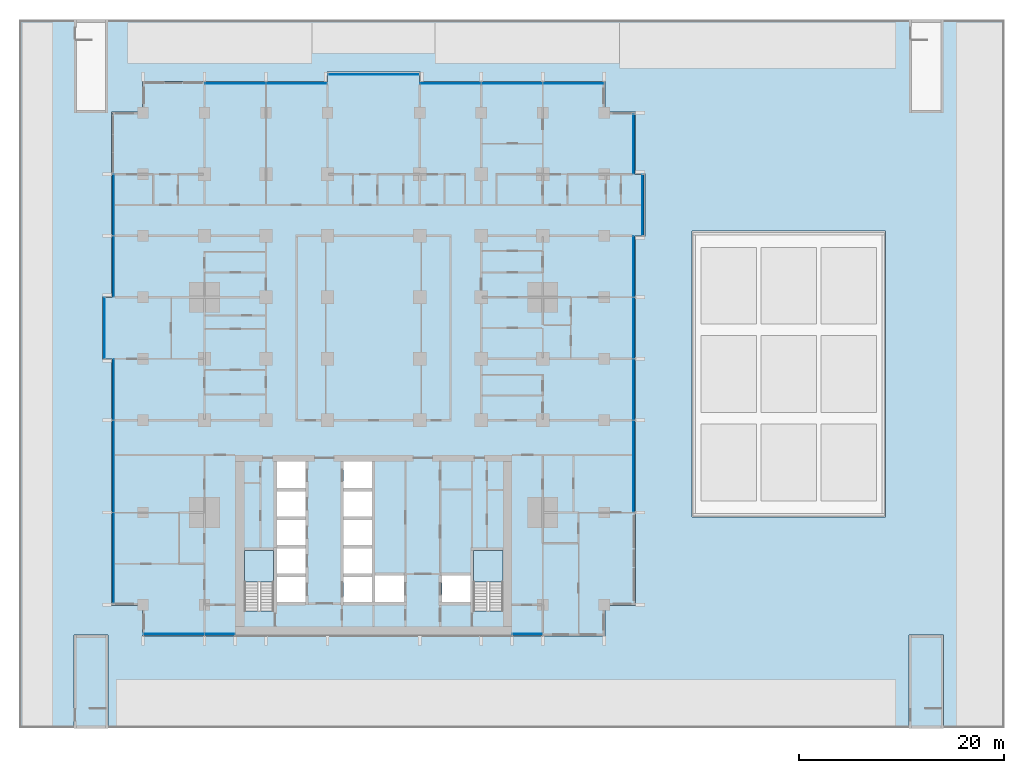
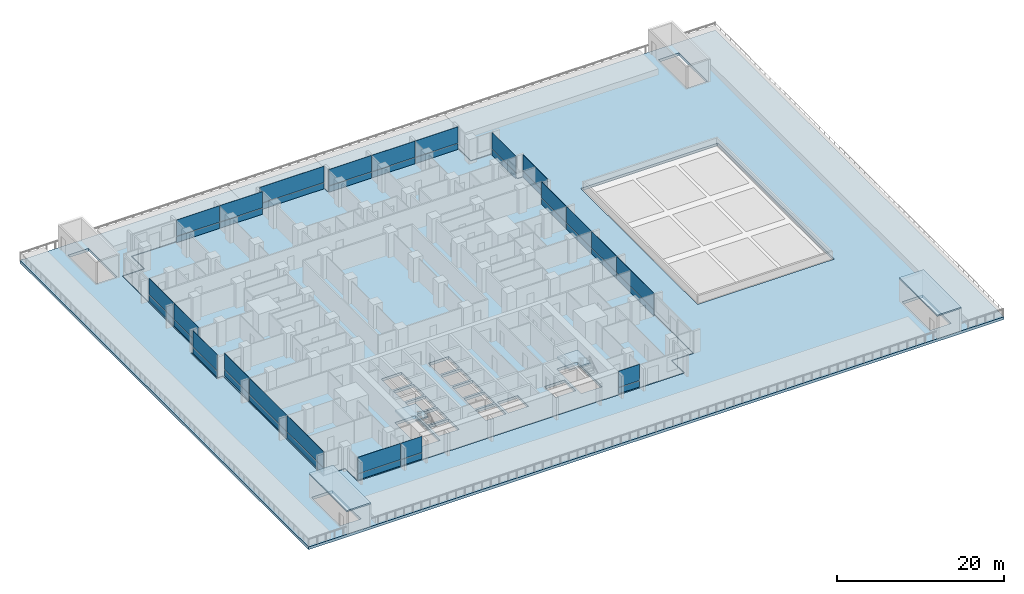
# One storey, part 7 of 25: 42 plates, 6 slabs, 13 elements without a shape of their own.
"""IFC4 building model written with IfcOpenShell, lengths in metres."""

from ifc_helpers import new_model, si_unit, direction, frame, origin, origin_2d, place, context, subcontext, project, spatial, polyline, rectangle, outline, extrude, material, layer, layer_set, type_object, element, aggregate, save


model = new_model("IFC4")

# Units and contexts
model_context = context("Model", 3, precision=1e-05, world=origin(), true_north=direction((0.0, 1.0)))
body_context = subcontext(model_context, "Body", "Model", "MODEL_VIEW")
ifc_project = project(units=[si_unit("LENGTHUNIT", "METRE"), si_unit("AREAUNIT", "SQUARE_METRE"), si_unit("VOLUMEUNIT", "CUBIC_METRE"), si_unit("PLANEANGLEUNIT", "RADIAN"), si_unit("MASSUNIT", "GRAM", prefix="KILO")], contexts=[model_context])

# Site, building, storey
site_placement = place(None, origin())
site = spatial("IfcSite", under=ifc_project, at=site_placement, CompositionType="ELEMENT")
building_placement = place(site_placement, origin())
building = spatial("IfcBuilding", under=site, at=building_placement, Name="Finial Court Residences", CompositionType="ELEMENT")
storey_placement = place(building_placement, frame((0.0, 0.0, 32.5)))
storey = spatial("IfcBuildingStorey", under=building, at=storey_placement, Name="L06", CompositionType="ELEMENT", Elevation=32.5)

# Curtain wall, plates
ifc_material_1 = material(Name="Bronze anodised aluminium", Category="aluminium")
curtain_wall_type = type_object("IfcCurtainWallType", Name="Unitised curtain wall, lower and middle zones", PredefinedType="NOTDEFINED", material=ifc_material_1)
curtain_wall_1_placement = place(storey_placement, origin())
curtain_wall_1 = element("IfcCurtainWall", 1, at=curtain_wall_1_placement, inside=storey, type_object=curtain_wall_type, Name="E-L06-CW-N1", PredefinedType="NOTDEFINED")
ifc_layer_1 = layer(ifc_material_1, 0.0400390625)
ifc_layer_set_1 = layer_set([ifc_layer_1], Name="CW1 spandrel panel 40")
plate_type_1 = type_object("IfcPlateType", Name="CW1 spandrel panel 40", PredefinedType="CURTAIN_PANEL", material=ifc_layer_set_1)
plate_1_placement = place(storey_placement, frame((-13.48388671875, 28.35009765625, 0.0), z_axis=(0.0, 0.0, 1.0), x_axis=(1.0, 0.0, 0.0)))
plate_1 = element("IfcPlate", 2, at=plate_1_placement, type_object=plate_type_1, Name="CW1 spandrel 1.1", PredefinedType="CURTAIN_PANEL", context=body_context, shape_type="SweptSolid", body=[
    extrude(rectangle(XDim=5.902587890625, YDim=0.0400390625, at=origin_2d()), origin(), (0.0, 0.0, 1.0), 0.867431640625),
])
plate_2_placement = place(storey_placement, frame((-7.51611328125, 28.35009765625, 0.0), z_axis=(0.0, 0.0, 1.0), x_axis=(1.0, 0.0, 0.0)))
plate_2 = element("IfcPlate", 3, at=plate_2_placement, type_object=plate_type_1, Name="CW1 spandrel 2.1", PredefinedType="CURTAIN_PANEL", context=body_context, shape_type="SweptSolid", body=[
    extrude(rectangle(XDim=5.902587890625, YDim=0.0400390625, at=origin_2d()), origin(), (0.0, 0.0, 1.0), 0.867431640625),
])

# Curtain wall, plate
curtain_wall_2_placement = place(storey_placement, origin())
curtain_wall_2 = element("IfcCurtainWall", 4, at=curtain_wall_2_placement, inside=storey, type_object=curtain_wall_type, Name="E-L06-CW-N2", PredefinedType="NOTDEFINED")
plate_3_placement = place(storey_placement, frame((0.0, 29.25, 0.0), z_axis=(0.0, 0.0, 1.0), x_axis=(1.0, 0.0, 0.0)))
plate_3 = element("IfcPlate", 5, at=plate_3_placement, type_object=plate_type_1, Name="CW1 spandrel 1.1", PredefinedType="CURTAIN_PANEL", context=body_context, shape_type="SweptSolid", body=[
    extrude(rectangle(XDim=8.8701171875, YDim=0.0400390625, at=origin_2d()), origin(), (0.0, 0.0, 1.0), 0.867431640625),
])

# Curtain wall, plates
curtain_wall_3_placement = place(storey_placement, origin())
curtain_wall_3 = element("IfcCurtainWall", 6, at=curtain_wall_3_placement, inside=storey, type_object=curtain_wall_type, Name="E-L06-CW-N3", PredefinedType="NOTDEFINED")
plate_4_placement = place(storey_placement, frame((7.51611328125, 28.35009765625, 0.0), z_axis=(0.0, 0.0, 1.0), x_axis=(1.0, 0.0, 0.0)))
plate_4 = element("IfcPlate", 7, at=plate_4_placement, type_object=plate_type_1, Name="CW1 spandrel 1.1", PredefinedType="CURTAIN_PANEL", context=body_context, shape_type="SweptSolid", body=[
    extrude(rectangle(XDim=5.902587890625, YDim=0.0400390625, at=origin_2d()), origin(), (0.0, 0.0, 1.0), 0.867431640625),
])
plate_5_placement = place(storey_placement, frame((13.5, 28.35009765625, 0.0), z_axis=(0.0, 0.0, 1.0), x_axis=(1.0, 0.0, 0.0)))
plate_5 = element("IfcPlate", 8, at=plate_5_placement, type_object=plate_type_1, Name="CW1 spandrel 2.1", PredefinedType="CURTAIN_PANEL", context=body_context, shape_type="SweptSolid", body=[
    extrude(rectangle(XDim=5.93505859375, YDim=0.0400390625, at=origin_2d()), origin(), (0.0, 0.0, 1.0), 0.867431640625),
])
plate_6_placement = place(storey_placement, frame((19.48388671875, 28.35009765625, 0.0), z_axis=(0.0, 0.0, 1.0), x_axis=(1.0, 0.0, 0.0)))
plate_6 = element("IfcPlate", 9, at=plate_6_placement, type_object=plate_type_1, Name="CW1 spandrel 3.1", PredefinedType="CURTAIN_PANEL", context=body_context, shape_type="SweptSolid", body=[
    extrude(rectangle(XDim=5.902587890625, YDim=0.0400390625, at=origin_2d()), origin(), (0.0, 0.0, 1.0), 0.867431640625),
])

curtain_wall_4_placement = place(storey_placement, origin())
curtain_wall_4 = element("IfcCurtainWall", 10, at=curtain_wall_4_placement, inside=storey, type_object=curtain_wall_type, Name="E-L06-CW-E4", PredefinedType="NOTDEFINED")
plate_7_placement = place(storey_placement, frame((25.35009765625, -8.983642578125, 0.0), z_axis=(0.0, 0.0, 1.0), x_axis=(0.0, 1.0, 0.0)))
plate_7 = element("IfcPlate", 11, at=plate_7_placement, type_object=plate_type_1, Name="CW1 spandrel 1.1", PredefinedType="CURTAIN_PANEL", context=body_context, shape_type="SweptSolid", body=[
    extrude(rectangle(XDim=8.902587890625, YDim=0.0400390625, at=origin_2d()), origin(), (0.0, 0.0, 1.0), 0.867431640625),
])
plate_8_placement = place(storey_placement, frame((25.35009765625, -1.5, 0.0), z_axis=(0.0, 0.0, 1.0), x_axis=(0.0, 1.0, 0.0)))
plate_8 = element("IfcPlate", 12, at=plate_8_placement, type_object=plate_type_1, Name="CW1 spandrel 2.1", PredefinedType="CURTAIN_PANEL", context=body_context, shape_type="SweptSolid", body=[
    extrude(rectangle(XDim=5.93505859375, YDim=0.0400390625, at=origin_2d()), origin(), (0.0, 0.0, 1.0), 0.867431640625),
])
plate_9_placement = place(storey_placement, frame((25.35009765625, 4.5, 0.0), z_axis=(0.0, 0.0, 1.0), x_axis=(0.0, 1.0, 0.0)))
plate_9 = element("IfcPlate", 13, at=plate_9_placement, type_object=plate_type_1, Name="CW1 spandrel 3.1", PredefinedType="CURTAIN_PANEL", context=body_context, shape_type="SweptSolid", body=[
    extrude(rectangle(XDim=5.93505859375, YDim=0.0400390625, at=origin_2d()), origin(), (0.0, 0.0, 1.0), 0.867431640625),
])
plate_10_placement = place(storey_placement, frame((25.35009765625, 10.483642578125, 0.0), z_axis=(0.0, 0.0, 1.0), x_axis=(0.0, 1.0, 0.0)))
plate_10 = element("IfcPlate", 14, at=plate_10_placement, type_object=plate_type_1, Name="CW1 spandrel 4.1", PredefinedType="CURTAIN_PANEL", context=body_context, shape_type="SweptSolid", body=[
    extrude(rectangle(XDim=5.902587890625, YDim=0.0400390625, at=origin_2d()), origin(), (0.0, 0.0, 1.0), 0.867431640625),
])

# Curtain wall, plate
curtain_wall_5_placement = place(storey_placement, origin())
curtain_wall_5 = element("IfcCurtainWall", 15, at=curtain_wall_5_placement, inside=storey, type_object=curtain_wall_type, Name="E-L06-CW-E5", PredefinedType="NOTDEFINED")
plate_11_placement = place(storey_placement, frame((26.25, 16.5, 0.0), z_axis=(0.0, 0.0, 1.0), x_axis=(0.0, 1.0, 0.0)))
plate_11 = element("IfcPlate", 16, at=plate_11_placement, type_object=plate_type_1, Name="CW1 spandrel 1.1", PredefinedType="CURTAIN_PANEL", context=body_context, shape_type="SweptSolid", body=[
    extrude(rectangle(XDim=5.8701171875, YDim=0.0400390625, at=origin_2d()), origin(), (0.0, 0.0, 1.0), 0.867431640625),
])

curtain_wall_6_placement = place(storey_placement, origin())
curtain_wall_6 = element("IfcCurtainWall", 17, at=curtain_wall_6_placement, inside=storey, type_object=curtain_wall_type, Name="E-L06-CW-E6", PredefinedType="NOTDEFINED")
plate_12_placement = place(storey_placement, frame((25.35009765625, 22.425048828125, 0.0), z_axis=(0.0, 0.0, 1.0), x_axis=(0.0, 1.0, 0.0)))
plate_12 = element("IfcPlate", 18, at=plate_12_placement, type_object=plate_type_1, Name="CW1 spandrel 1.1", PredefinedType="CURTAIN_PANEL", context=body_context, shape_type="SweptSolid", body=[
    extrude(rectangle(XDim=5.719970703125, YDim=0.0400390625, at=origin_2d()), origin(), (0.0, 0.0, 1.0), 0.867431640625),
])

# Curtain wall, plates
curtain_wall_7_placement = place(storey_placement, origin())
curtain_wall_7 = element("IfcCurtainWall", 19, at=curtain_wall_7_placement, inside=storey, type_object=curtain_wall_type, Name="E-L06-CW-S7", PredefinedType="NOTDEFINED")
plate_13_placement = place(storey_placement, frame((-19.48388671875, -25.35009765625, 0.0), z_axis=(0.0, 0.0, 1.0), x_axis=(1.0, 0.0, 0.0)))
plate_13 = element("IfcPlate", 20, at=plate_13_placement, type_object=plate_type_1, Name="CW1 spandrel 1.1", PredefinedType="CURTAIN_PANEL", context=body_context, shape_type="SweptSolid", body=[
    extrude(rectangle(XDim=5.902587890625, YDim=0.0400390625, at=origin_2d()), origin(), (0.0, 0.0, 1.0), 0.867431640625),
])
plate_14_placement = place(storey_placement, frame((-15.016357421875, -25.35009765625, 0.0), z_axis=(0.0, 0.0, 1.0), x_axis=(1.0, 0.0, 0.0)))
plate_14 = element("IfcPlate", 21, at=plate_14_placement, type_object=plate_type_1, Name="CW1 spandrel 2.1", PredefinedType="CURTAIN_PANEL", context=body_context, shape_type="SweptSolid", body=[
    extrude(rectangle(XDim=2.902587890625, YDim=0.0400390625, at=origin_2d()), origin(), (0.0, 0.0, 1.0), 0.867431640625),
])

# Curtain wall, plate
curtain_wall_8_placement = place(storey_placement, origin())
curtain_wall_8 = element("IfcCurtainWall", 22, at=curtain_wall_8_placement, inside=storey, type_object=curtain_wall_type, Name="E-L06-CW-S8", PredefinedType="NOTDEFINED")
plate_15_placement = place(storey_placement, frame((15.0, -25.35009765625, 0.0), z_axis=(0.0, 0.0, 1.0), x_axis=(1.0, 0.0, 0.0)))
plate_15 = element("IfcPlate", 23, at=plate_15_placement, type_object=plate_type_1, Name="CW1 spandrel 1.1", PredefinedType="CURTAIN_PANEL", context=body_context, shape_type="SweptSolid", body=[
    extrude(rectangle(XDim=2.8701171875, YDim=0.0400390625, at=origin_2d()), origin(), (0.0, 0.0, 1.0), 0.867431640625),
])

# Curtain wall, plates
curtain_wall_9_placement = place(storey_placement, origin())
curtain_wall_9 = element("IfcCurtainWall", 24, at=curtain_wall_9_placement, inside=storey, type_object=curtain_wall_type, Name="E-L06-CW-W9", PredefinedType="NOTDEFINED")
plate_16_placement = place(storey_placement, frame((-25.35009765625, -17.90869140625, 0.0), z_axis=(0.0, 0.0, 1.0), x_axis=(0.0, 1.0, 0.0)))
plate_16 = element("IfcPlate", 25, at=plate_16_placement, type_object=plate_type_1, Name="CW1 spandrel 1.1", PredefinedType="CURTAIN_PANEL", context=body_context, shape_type="SweptSolid", body=[
    extrude(rectangle(XDim=8.75244140625, YDim=0.0400390625, at=origin_2d()), origin(), (0.0, 0.0, 1.0), 0.867431640625),
])
plate_17_placement = place(storey_placement, frame((-25.35009765625, -9.0, 0.0), z_axis=(0.0, 0.0, 1.0), x_axis=(0.0, 1.0, 0.0)))
plate_17 = element("IfcPlate", 26, at=plate_17_placement, type_object=plate_type_1, Name="CW1 spandrel 2.1", PredefinedType="CURTAIN_PANEL", context=body_context, shape_type="SweptSolid", body=[
    extrude(rectangle(XDim=8.93505859375, YDim=0.0400390625, at=origin_2d()), origin(), (0.0, 0.0, 1.0), 0.867431640625),
])
plate_18_placement = place(storey_placement, frame((-25.35009765625, -1.516357421875, 0.0), z_axis=(0.0, 0.0, 1.0), x_axis=(0.0, 1.0, 0.0)))
plate_18 = element("IfcPlate", 27, at=plate_18_placement, type_object=plate_type_1, Name="CW1 spandrel 3.1", PredefinedType="CURTAIN_PANEL", context=body_context, shape_type="SweptSolid", body=[
    extrude(rectangle(XDim=5.902587890625, YDim=0.0400390625, at=origin_2d()), origin(), (0.0, 0.0, 1.0), 0.867431640625),
])

# Curtain wall, plate
curtain_wall_10_placement = place(storey_placement, origin())
curtain_wall_10 = element("IfcCurtainWall", 28, at=curtain_wall_10_placement, inside=storey, type_object=curtain_wall_type, Name="E-L06-CW-W10", PredefinedType="NOTDEFINED")
plate_19_placement = place(storey_placement, frame((-26.25, 4.5, 0.0), z_axis=(0.0, 0.0, 1.0), x_axis=(0.0, 1.0, 0.0)))
plate_19 = element("IfcPlate", 29, at=plate_19_placement, type_object=plate_type_1, Name="CW1 spandrel 1.1", PredefinedType="CURTAIN_PANEL", context=body_context, shape_type="SweptSolid", body=[
    extrude(rectangle(XDim=5.8701171875, YDim=0.0400390625, at=origin_2d()), origin(), (0.0, 0.0, 1.0), 0.867431640625),
])

# Curtain wall, plates
curtain_wall_11_placement = place(storey_placement, origin())
curtain_wall_11 = element("IfcCurtainWall", 30, at=curtain_wall_11_placement, inside=storey, type_object=curtain_wall_type, Name="E-L06-CW-W11", PredefinedType="NOTDEFINED")
plate_20_placement = place(storey_placement, frame((-25.35009765625, 10.51611328125, 0.0), z_axis=(0.0, 0.0, 1.0), x_axis=(0.0, 1.0, 0.0)))
plate_20 = element("IfcPlate", 31, at=plate_20_placement, type_object=plate_type_1, Name="CW1 spandrel 1.1", PredefinedType="CURTAIN_PANEL", context=body_context, shape_type="SweptSolid", body=[
    extrude(rectangle(XDim=5.902587890625, YDim=0.0400390625, at=origin_2d()), origin(), (0.0, 0.0, 1.0), 0.867431640625),
])
plate_21_placement = place(storey_placement, frame((-25.35009765625, 16.48388671875, 0.0), z_axis=(0.0, 0.0, 1.0), x_axis=(0.0, 1.0, 0.0)))
plate_21 = element("IfcPlate", 32, at=plate_21_placement, type_object=plate_type_1, Name="CW1 spandrel 2.1", PredefinedType="CURTAIN_PANEL", context=body_context, shape_type="SweptSolid", body=[
    extrude(rectangle(XDim=5.902587890625, YDim=0.0400390625, at=origin_2d()), origin(), (0.0, 0.0, 1.0), 0.867431640625),
])

# Plate
ifc_material_2 = material(Name="Clear low-e glass", Category="glass")
ifc_layer_2 = layer(ifc_material_2, 0.031982421875)
ifc_layer_set_2 = layer_set([ifc_layer_2], Name="CW1 vision glass 32")
plate_type_2 = type_object("IfcPlateType", Name="CW1 vision glass 32", PredefinedType="CURTAIN_PANEL", material=ifc_layer_set_2)
plate_22_placement = place(storey_placement, frame((-13.48388671875, 28.35009765625, 0.9326171875), z_axis=(0.0, 0.0, 1.0), x_axis=(1.0, 0.0, 0.0)))
plate_22 = element("IfcPlate", 33, at=plate_22_placement, type_object=plate_type_2, Name="CW1 glass 1.2", PredefinedType="CURTAIN_PANEL", context=body_context, shape_type="SweptSolid", body=[
    extrude(rectangle(XDim=5.902587890625, YDim=0.031982421875, at=origin_2d()), origin(), (0.0, 0.0, 1.0), 2.367431640625),
])

plate_23_placement = place(storey_placement, frame((-7.51611328125, 28.35009765625, 0.9326171875), z_axis=(0.0, 0.0, 1.0), x_axis=(1.0, 0.0, 0.0)))
plate_23 = element("IfcPlate", 34, at=plate_23_placement, type_object=plate_type_2, Name="CW1 glass 2.2", PredefinedType="CURTAIN_PANEL", context=body_context, shape_type="SweptSolid", body=[
    extrude(rectangle(XDim=5.902587890625, YDim=0.031982421875, at=origin_2d()), origin(), (0.0, 0.0, 1.0), 2.367431640625),
])

aggregate(curtain_wall_1, [plate_1, plate_22, plate_2, plate_23])

plate_24_placement = place(storey_placement, frame((0.0, 29.25, 0.9326171875), z_axis=(0.0, 0.0, 1.0), x_axis=(1.0, 0.0, 0.0)))
plate_24 = element("IfcPlate", 35, at=plate_24_placement, type_object=plate_type_2, Name="CW1 glass 1.2", PredefinedType="CURTAIN_PANEL", context=body_context, shape_type="SweptSolid", body=[
    extrude(rectangle(XDim=8.8701171875, YDim=0.031982421875, at=origin_2d()), origin(), (0.0, 0.0, 1.0), 2.367431640625),
])

aggregate(curtain_wall_2, [plate_3, plate_24])

plate_25_placement = place(storey_placement, frame((7.51611328125, 28.35009765625, 0.9326171875), z_axis=(0.0, 0.0, 1.0), x_axis=(1.0, 0.0, 0.0)))
plate_25 = element("IfcPlate", 36, at=plate_25_placement, type_object=plate_type_2, Name="CW1 glass 1.2", PredefinedType="CURTAIN_PANEL", context=body_context, shape_type="SweptSolid", body=[
    extrude(rectangle(XDim=5.902587890625, YDim=0.031982421875, at=origin_2d()), origin(), (0.0, 0.0, 1.0), 2.367431640625),
])

plate_26_placement = place(storey_placement, frame((13.5, 28.35009765625, 0.9326171875), z_axis=(0.0, 0.0, 1.0), x_axis=(1.0, 0.0, 0.0)))
plate_26 = element("IfcPlate", 37, at=plate_26_placement, type_object=plate_type_2, Name="CW1 glass 2.2", PredefinedType="CURTAIN_PANEL", context=body_context, shape_type="SweptSolid", body=[
    extrude(rectangle(XDim=5.93505859375, YDim=0.031982421875, at=origin_2d()), origin(), (0.0, 0.0, 1.0), 2.367431640625),
])

plate_27_placement = place(storey_placement, frame((19.48388671875, 28.35009765625, 0.9326171875), z_axis=(0.0, 0.0, 1.0), x_axis=(1.0, 0.0, 0.0)))
plate_27 = element("IfcPlate", 38, at=plate_27_placement, type_object=plate_type_2, Name="CW1 glass 3.2", PredefinedType="CURTAIN_PANEL", context=body_context, shape_type="SweptSolid", body=[
    extrude(rectangle(XDim=5.902587890625, YDim=0.031982421875, at=origin_2d()), origin(), (0.0, 0.0, 1.0), 2.367431640625),
])

aggregate(curtain_wall_3, [plate_4, plate_25, plate_5, plate_26, plate_6, plate_27])

plate_28_placement = place(storey_placement, frame((25.35009765625, -8.983642578125, 0.9326171875), z_axis=(0.0, 0.0, 1.0), x_axis=(0.0, 1.0, 0.0)))
plate_28 = element("IfcPlate", 39, at=plate_28_placement, type_object=plate_type_2, Name="CW1 glass 1.2", PredefinedType="CURTAIN_PANEL", context=body_context, shape_type="SweptSolid", body=[
    extrude(rectangle(XDim=8.902587890625, YDim=0.031982421875, at=origin_2d()), origin(), (0.0, 0.0, 1.0), 2.367431640625),
])

plate_29_placement = place(storey_placement, frame((25.35009765625, -1.5, 0.9326171875), z_axis=(0.0, 0.0, 1.0), x_axis=(0.0, 1.0, 0.0)))
plate_29 = element("IfcPlate", 40, at=plate_29_placement, type_object=plate_type_2, Name="CW1 glass 2.2", PredefinedType="CURTAIN_PANEL", context=body_context, shape_type="SweptSolid", body=[
    extrude(rectangle(XDim=5.93505859375, YDim=0.031982421875, at=origin_2d()), origin(), (0.0, 0.0, 1.0), 2.367431640625),
])

plate_30_placement = place(storey_placement, frame((25.35009765625, 4.5, 0.9326171875), z_axis=(0.0, 0.0, 1.0), x_axis=(0.0, 1.0, 0.0)))
plate_30 = element("IfcPlate", 41, at=plate_30_placement, type_object=plate_type_2, Name="CW1 glass 3.2", PredefinedType="CURTAIN_PANEL", context=body_context, shape_type="SweptSolid", body=[
    extrude(rectangle(XDim=5.93505859375, YDim=0.031982421875, at=origin_2d()), origin(), (0.0, 0.0, 1.0), 2.367431640625),
])

plate_31_placement = place(storey_placement, frame((25.35009765625, 10.483642578125, 0.9326171875), z_axis=(0.0, 0.0, 1.0), x_axis=(0.0, 1.0, 0.0)))
plate_31 = element("IfcPlate", 42, at=plate_31_placement, type_object=plate_type_2, Name="CW1 glass 4.2", PredefinedType="CURTAIN_PANEL", context=body_context, shape_type="SweptSolid", body=[
    extrude(rectangle(XDim=5.902587890625, YDim=0.031982421875, at=origin_2d()), origin(), (0.0, 0.0, 1.0), 2.367431640625),
])

aggregate(curtain_wall_4, [plate_7, plate_28, plate_8, plate_29, plate_9, plate_30, plate_10, plate_31])

plate_32_placement = place(storey_placement, frame((26.25, 16.5, 0.9326171875), z_axis=(0.0, 0.0, 1.0), x_axis=(0.0, 1.0, 0.0)))
plate_32 = element("IfcPlate", 43, at=plate_32_placement, type_object=plate_type_2, Name="CW1 glass 1.2", PredefinedType="CURTAIN_PANEL", context=body_context, shape_type="SweptSolid", body=[
    extrude(rectangle(XDim=5.8701171875, YDim=0.031982421875, at=origin_2d()), origin(), (0.0, 0.0, 1.0), 2.367431640625),
])

aggregate(curtain_wall_5, [plate_11, plate_32])

plate_33_placement = place(storey_placement, frame((25.35009765625, 22.425048828125, 0.9326171875), z_axis=(0.0, 0.0, 1.0), x_axis=(0.0, 1.0, 0.0)))
plate_33 = element("IfcPlate", 44, at=plate_33_placement, type_object=plate_type_2, Name="CW1 glass 1.2", PredefinedType="CURTAIN_PANEL", context=body_context, shape_type="SweptSolid", body=[
    extrude(rectangle(XDim=5.719970703125, YDim=0.031982421875, at=origin_2d()), origin(), (0.0, 0.0, 1.0), 2.367431640625),
])

aggregate(curtain_wall_6, [plate_12, plate_33])

plate_34_placement = place(storey_placement, frame((-19.48388671875, -25.35009765625, 0.9326171875), z_axis=(0.0, 0.0, 1.0), x_axis=(1.0, 0.0, 0.0)))
plate_34 = element("IfcPlate", 45, at=plate_34_placement, type_object=plate_type_2, Name="CW1 glass 1.2", PredefinedType="CURTAIN_PANEL", context=body_context, shape_type="SweptSolid", body=[
    extrude(rectangle(XDim=5.902587890625, YDim=0.031982421875, at=origin_2d()), origin(), (0.0, 0.0, 1.0), 2.367431640625),
])

plate_35_placement = place(storey_placement, frame((-15.016357421875, -25.35009765625, 0.9326171875), z_axis=(0.0, 0.0, 1.0), x_axis=(1.0, 0.0, 0.0)))
plate_35 = element("IfcPlate", 46, at=plate_35_placement, type_object=plate_type_2, Name="CW1 glass 2.2", PredefinedType="CURTAIN_PANEL", context=body_context, shape_type="SweptSolid", body=[
    extrude(rectangle(XDim=2.902587890625, YDim=0.031982421875, at=origin_2d()), origin(), (0.0, 0.0, 1.0), 2.367431640625),
])

aggregate(curtain_wall_7, [plate_13, plate_34, plate_14, plate_35])

plate_36_placement = place(storey_placement, frame((15.0, -25.35009765625, 0.9326171875), z_axis=(0.0, 0.0, 1.0), x_axis=(1.0, 0.0, 0.0)))
plate_36 = element("IfcPlate", 47, at=plate_36_placement, type_object=plate_type_2, Name="CW1 glass 1.2", PredefinedType="CURTAIN_PANEL", context=body_context, shape_type="SweptSolid", body=[
    extrude(rectangle(XDim=2.8701171875, YDim=0.031982421875, at=origin_2d()), origin(), (0.0, 0.0, 1.0), 2.367431640625),
])

aggregate(curtain_wall_8, [plate_15, plate_36])

plate_37_placement = place(storey_placement, frame((-25.35009765625, -17.90869140625, 0.9326171875), z_axis=(0.0, 0.0, 1.0), x_axis=(0.0, 1.0, 0.0)))
plate_37 = element("IfcPlate", 48, at=plate_37_placement, type_object=plate_type_2, Name="CW1 glass 1.2", PredefinedType="CURTAIN_PANEL", context=body_context, shape_type="SweptSolid", body=[
    extrude(rectangle(XDim=8.75244140625, YDim=0.031982421875, at=origin_2d()), origin(), (0.0, 0.0, 1.0), 2.367431640625),
])

plate_38_placement = place(storey_placement, frame((-25.35009765625, -9.0, 0.9326171875), z_axis=(0.0, 0.0, 1.0), x_axis=(0.0, 1.0, 0.0)))
plate_38 = element("IfcPlate", 49, at=plate_38_placement, type_object=plate_type_2, Name="CW1 glass 2.2", PredefinedType="CURTAIN_PANEL", context=body_context, shape_type="SweptSolid", body=[
    extrude(rectangle(XDim=8.93505859375, YDim=0.031982421875, at=origin_2d()), origin(), (0.0, 0.0, 1.0), 2.367431640625),
])

plate_39_placement = place(storey_placement, frame((-25.35009765625, -1.516357421875, 0.9326171875), z_axis=(0.0, 0.0, 1.0), x_axis=(0.0, 1.0, 0.0)))
plate_39 = element("IfcPlate", 50, at=plate_39_placement, type_object=plate_type_2, Name="CW1 glass 3.2", PredefinedType="CURTAIN_PANEL", context=body_context, shape_type="SweptSolid", body=[
    extrude(rectangle(XDim=5.902587890625, YDim=0.031982421875, at=origin_2d()), origin(), (0.0, 0.0, 1.0), 2.367431640625),
])

aggregate(curtain_wall_9, [plate_16, plate_37, plate_17, plate_38, plate_18, plate_39])

plate_40_placement = place(storey_placement, frame((-26.25, 4.5, 0.9326171875), z_axis=(0.0, 0.0, 1.0), x_axis=(0.0, 1.0, 0.0)))
plate_40 = element("IfcPlate", 51, at=plate_40_placement, type_object=plate_type_2, Name="CW1 glass 1.2", PredefinedType="CURTAIN_PANEL", context=body_context, shape_type="SweptSolid", body=[
    extrude(rectangle(XDim=5.8701171875, YDim=0.031982421875, at=origin_2d()), origin(), (0.0, 0.0, 1.0), 2.367431640625),
])

aggregate(curtain_wall_10, [plate_19, plate_40])

plate_41_placement = place(storey_placement, frame((-25.35009765625, 10.51611328125, 0.9326171875), z_axis=(0.0, 0.0, 1.0), x_axis=(0.0, 1.0, 0.0)))
plate_41 = element("IfcPlate", 52, at=plate_41_placement, type_object=plate_type_2, Name="CW1 glass 1.2", PredefinedType="CURTAIN_PANEL", context=body_context, shape_type="SweptSolid", body=[
    extrude(rectangle(XDim=5.902587890625, YDim=0.031982421875, at=origin_2d()), origin(), (0.0, 0.0, 1.0), 2.367431640625),
])

plate_42_placement = place(storey_placement, frame((-25.35009765625, 16.48388671875, 0.9326171875), z_axis=(0.0, 0.0, 1.0), x_axis=(0.0, 1.0, 0.0)))
plate_42 = element("IfcPlate", 53, at=plate_42_placement, type_object=plate_type_2, Name="CW1 glass 2.2", PredefinedType="CURTAIN_PANEL", context=body_context, shape_type="SweptSolid", body=[
    extrude(rectangle(XDim=5.902587890625, YDim=0.031982421875, at=origin_2d()), origin(), (0.0, 0.0, 1.0), 2.367431640625),
])

aggregate(curtain_wall_11, [plate_20, plate_41, plate_21, plate_42])

# Stair, slab
ifc_material_3 = material(Name="Concrete C50/60", Category="concrete")
stair_type = type_object("IfcStairType", Name="Exit stair 22 risers of 163.6 mm", PredefinedType="HALF_TURN_STAIR", material=ifc_material_3)
stair_1_placement = place(storey_placement, origin())
stair_1 = element("IfcStair", 54, at=stair_1_placement, inside=storey, type_object=stair_type, Name="L06 Exit stair ST-1", PredefinedType="HALF_TURN_STAIR")
ifc_layer_3 = layer(ifc_material_3, 0.199951171875)
ifc_layer_set_3 = layer_set([ifc_layer_3], Name="Exit stair landing")
slab_type_1 = type_object("IfcSlabType", Name="Exit stair landing", PredefinedType="LANDING", material=ifc_layer_set_3)
slab_1_placement = place(storey_placement, frame((0.0, 0.0, 1.60009765625)))
slab_1 = element("IfcSlab", 55, at=slab_1_placement, type_object=slab_type_1, Name="ST-1 landing 1", PredefinedType="LANDING", context=body_context, shape_type="SweptSolid", body=[
    extrude(outline(polyline([(-9.75, -20.300048828125), (-9.75, -17.199951171875), (-12.60009765625, -17.199951171875), (-12.60009765625, -20.300048828125), (-9.75, -20.300048828125)])), origin(), (0.0, 0.0, 1.0), 0.199951171875),
])
aggregate(stair_1, [slab_1])

stair_2_placement = place(storey_placement, origin())
stair_2 = element("IfcStair", 56, at=stair_2_placement, inside=storey, type_object=stair_type, Name="L06 Exit stair ST-2", PredefinedType="HALF_TURN_STAIR")
slab_2_placement = place(storey_placement, frame((0.0, 0.0, 1.60009765625)))
slab_2 = element("IfcSlab", 57, at=slab_2_placement, type_object=slab_type_1, Name="ST-2 landing 1", PredefinedType="LANDING", context=body_context, shape_type="SweptSolid", body=[
    extrude(outline(polyline([(12.60009765625, -20.300048828125), (12.60009765625, -17.199951171875), (9.75, -17.199951171875), (9.75, -20.300048828125), (12.60009765625, -20.300048828125)])), origin(), (0.0, 0.0, 1.0), 0.199951171875),
])
aggregate(stair_2, [slab_2])

# Slabs
ifc_material_4 = material(Name="Concrete C40/50", Category="concrete")
ifc_layer_4 = layer(ifc_material_4, 0.39990234375)
ifc_layer_set_4 = layer_set([ifc_layer_4], Name="Flat plate slab 400 Concrete C40/50")
slab_type_2 = type_object("IfcSlabType", Name="Flat plate slab 400 Concrete C40/50", PredefinedType="FLOOR", material=ifc_layer_set_4)
slab_3_placement = place(storey_placement, frame((0.0, 0.0, -0.39990234375)))
element("IfcSlab", 58, at=slab_3_placement, inside=storey, type_object=slab_type_2, Name="S:SLAB:L06", PredefinedType="FLOOR", context=body_context, shape_type="SweptSolid", body=[
    extrude(outline(polyline([(-22.5, -22.5), (-25.5, -22.5), (-25.5, 1.5), (-26.39990234375, 1.5), (-26.39990234375, 7.5), (-25.5, 7.5), (-25.5, 25.5), (-22.5, 25.5), (-22.5, 28.5), (-4.5, 28.5), (-4.5, 29.39990234375), (4.5, 29.39990234375), (4.5, 28.5), (22.5, 28.5), (22.5, 25.5), (25.5, 25.5), (25.5, 19.5), (26.39990234375, 19.5), (26.39990234375, 13.5), (25.5, 13.5), (25.5, -22.5), (22.5, -22.5), (22.5, -25.5), (-22.5, -25.5), (-22.5, -22.5)]), holes=[polyline([(-6.64990234375, -22.25), (-6.64990234375, -19.77001953125), (-9.449951171875, -19.77001953125), (-9.449951171875, -22.25), (-6.64990234375, -22.25)]), polyline([(-9.75, -17.199951171875), (-12.60009765625, -17.199951171875), (-12.60009765625, -23.09912109375), (-9.75, -23.09912109375), (-9.75, -17.199951171875)]), polyline([(-6.64990234375, -19.469970703125), (-6.64990234375, -16.989990234375), (-9.449951171875, -16.989990234375), (-9.449951171875, -19.469970703125), (-6.64990234375, -19.469970703125)]), polyline([(-6.64990234375, -16.68994140625), (-6.64990234375, -14.2099609375), (-9.449951171875, -14.2099609375), (-9.449951171875, -16.68994140625), (-6.64990234375, -16.68994140625)]), polyline([(-0.14990234375, -16.68994140625), (-0.14990234375, -14.2099609375), (-2.949951171875, -14.2099609375), (-2.949951171875, -16.68994140625), (-0.14990234375, -16.68994140625)]), polyline([(-6.64990234375, -13.909912109375), (-6.64990234375, -11.429931640625), (-9.449951171875, -11.429931640625), (-9.449951171875, -13.909912109375), (-6.64990234375, -13.909912109375)]), polyline([(-9.449951171875, -11.1298828125), (-6.64990234375, -11.1298828125), (-6.64990234375, -8.5), (-9.449951171875, -8.5), (-9.449951171875, -11.1298828125)]), polyline([(-0.14990234375, -22.25), (-0.14990234375, -19.77001953125), (-2.949951171875, -19.77001953125), (-2.949951171875, -22.25), (-0.14990234375, -22.25)]), polyline([(2.949951171875, -22.25), (2.949951171875, -19.64990234375), (0.14990234375, -19.64990234375), (0.14990234375, -22.25), (2.949951171875, -22.25)]), polyline([(9.449951171875, -22.25), (9.449951171875, -19.64990234375), (6.64990234375, -19.64990234375), (6.64990234375, -22.25), (9.449951171875, -22.25)]), polyline([(12.60009765625, -17.199951171875), (9.75, -17.199951171875), (9.75, -23.09912109375), (12.60009765625, -23.09912109375), (12.60009765625, -17.199951171875)]), polyline([(-0.14990234375, -19.469970703125), (-0.14990234375, -16.989990234375), (-2.949951171875, -16.989990234375), (-2.949951171875, -19.469970703125), (-0.14990234375, -19.469970703125)]), polyline([(-0.14990234375, -13.909912109375), (-0.14990234375, -11.429931640625), (-2.949951171875, -11.429931640625), (-2.949951171875, -13.909912109375), (-0.14990234375, -13.909912109375)]), polyline([(-2.949951171875, -11.1298828125), (-0.14990234375, -11.1298828125), (-0.14990234375, -8.5), (-2.949951171875, -8.5), (-2.949951171875, -11.1298828125)])]), origin(), (0.0, 0.0, 1.0), 0.39990234375),
])
ifc_layer_5 = layer(ifc_material_4, 0.199951171875)
ifc_layer_set_5 = layer_set([ifc_layer_5], Name="Stair head-house roof slab")
slab_type_3 = type_object("IfcSlabType", Name="Stair head-house roof slab", PredefinedType="ROOF", material=ifc_layer_set_5)
slab_4_placement = place(storey_placement, frame((0.0, 0.0, 3.300048828125)))
element("IfcSlab", 59, at=slab_4_placement, inside=storey, type_object=slab_type_3, Name="Exit Stair 3 head-house roof", PredefinedType="ROOF", context=body_context, shape_type="SweptSolid", body=[
    extrude(outline(polyline([(52.25, -34.550048828125), (55.60009765625, -34.550048828125), (55.60009765625, -25.469970703125), (52.25, -25.469970703125), (52.25, -34.550048828125)])), origin(), (0.0, 0.0, 1.0), 0.199951171875),
])
slab_5_placement = place(storey_placement, frame((0.0, 0.0, 3.300048828125)))
element("IfcSlab", 60, at=slab_5_placement, inside=storey, type_object=slab_type_3, Name="Exit Stair 4 head-house roof", PredefinedType="ROOF", context=body_context, shape_type="SweptSolid", body=[
    extrude(outline(polyline([(-29.25, -34.550048828125), (-25.89990234375, -34.550048828125), (-25.89990234375, -25.469970703125), (-29.25, -25.469970703125), (-29.25, -34.550048828125)])), origin(), (0.0, 0.0, 1.0), 0.199951171875),
])
ifc_layer_6 = layer(ifc_material_4, 0.39990234375)
ifc_layer_set_6 = layer_set([ifc_layer_6], Name="Terrace slab, Concrete C40/50 400")
slab_type_4 = type_object("IfcSlabType", Name="Terrace slab, Concrete C40/50 400", PredefinedType="FLOOR", material=ifc_layer_set_6)
slab_6_placement = place(storey_placement, frame((0.0, 0.0, -0.39990234375)))
element("IfcSlab", 61, at=slab_6_placement, inside=storey, type_object=slab_type_4, Name="Terrace L06 1", PredefinedType="FLOOR", context=body_context, shape_type="SweptSolid", body=[
    extrude(outline(polyline([(-34.5, 34.5), (61.5, 34.5), (61.5, -34.5), (-34.5, -34.5), (-34.5, 34.5)]), holes=[polyline([(-29.0, -25.719970703125), (-29.0, -32.549072265625), (-26.14990234375, -32.549072265625), (-26.14990234375, -25.719970703125), (-29.0, -25.719970703125)]), polyline([(52.5, -25.719970703125), (52.5, -32.549072265625), (55.35009765625, -32.549072265625), (55.35009765625, -25.719970703125), (52.5, -25.719970703125)]), polyline([(-29.0, 32.549072265625), (-29.0, 25.719970703125), (-26.14990234375, 25.719970703125), (-26.14990234375, 32.549072265625), (-29.0, 32.549072265625)]), polyline([(52.5, 32.549072265625), (52.5, 25.719970703125), (55.35009765625, 25.719970703125), (55.35009765625, 32.549072265625), (52.5, 32.549072265625)]), polyline([(25.56005859375, -22.56005859375), (25.56005859375, 13.43994140625), (26.4599609375, 13.43994140625), (26.4599609375, 19.56005859375), (25.56005859375, 19.56005859375), (25.56005859375, 25.56005859375), (22.56005859375, 25.56005859375), (22.56005859375, 28.56005859375), (4.56005859375, 28.56005859375), (4.56005859375, 29.4599609375), (-4.56005859375, 29.4599609375), (-4.56005859375, 28.56005859375), (-22.56005859375, 28.56005859375), (-22.56005859375, 25.56005859375), (-25.56005859375, 25.56005859375), (-25.56005859375, 7.56005859375), (-26.4599609375, 7.56005859375), (-26.4599609375, 1.43994140625), (-25.56005859375, 1.43994140625), (-25.56005859375, -22.56005859375), (-22.56005859375, -22.56005859375), (-22.56005859375, -25.56005859375), (22.56005859375, -25.56005859375), (22.56005859375, -22.56005859375), (25.56005859375, -22.56005859375)]), polyline([(31.050048828125, 13.949951171875), (31.050048828125, -13.949951171875), (49.949951171875, -13.949951171875), (49.949951171875, 13.949951171875), (31.050048828125, 13.949951171875)])]), origin(), (0.0, 0.0, 1.0), 0.39990234375),
])

save(model, "model.ifc")
